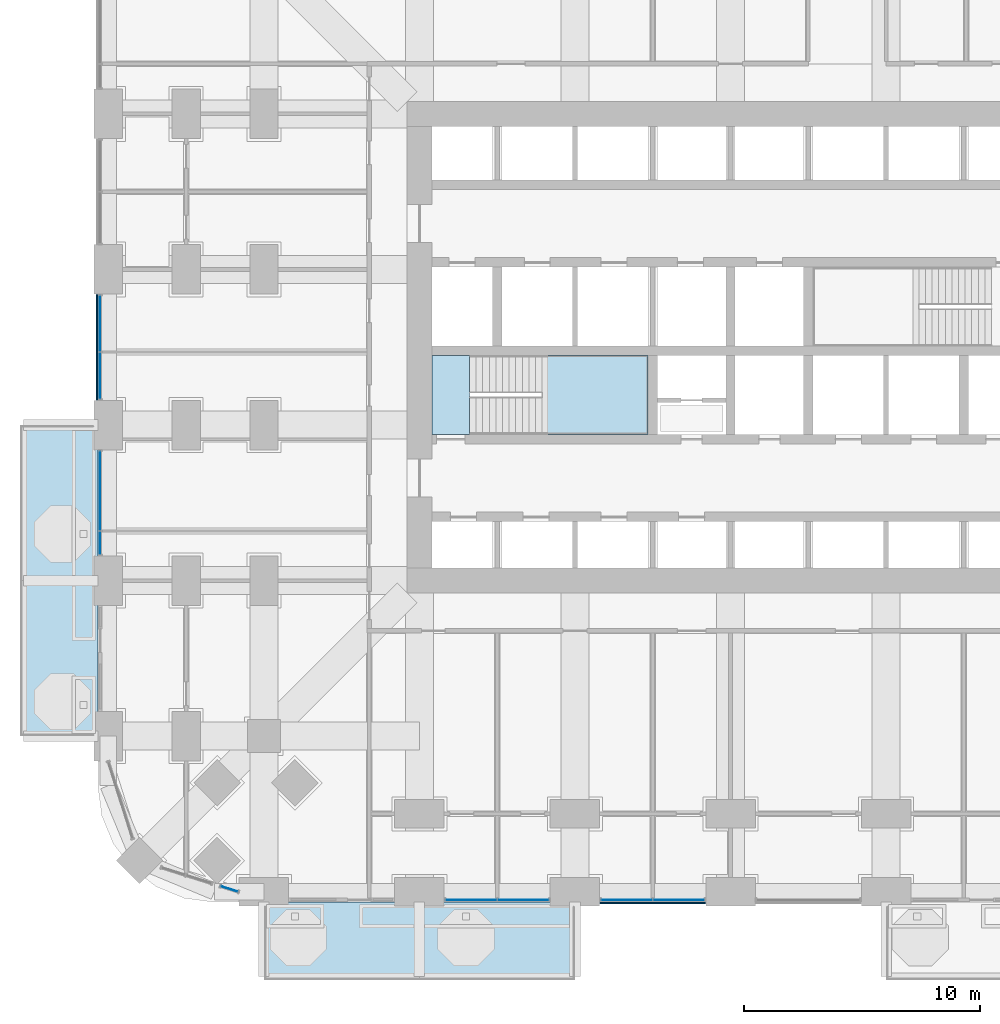
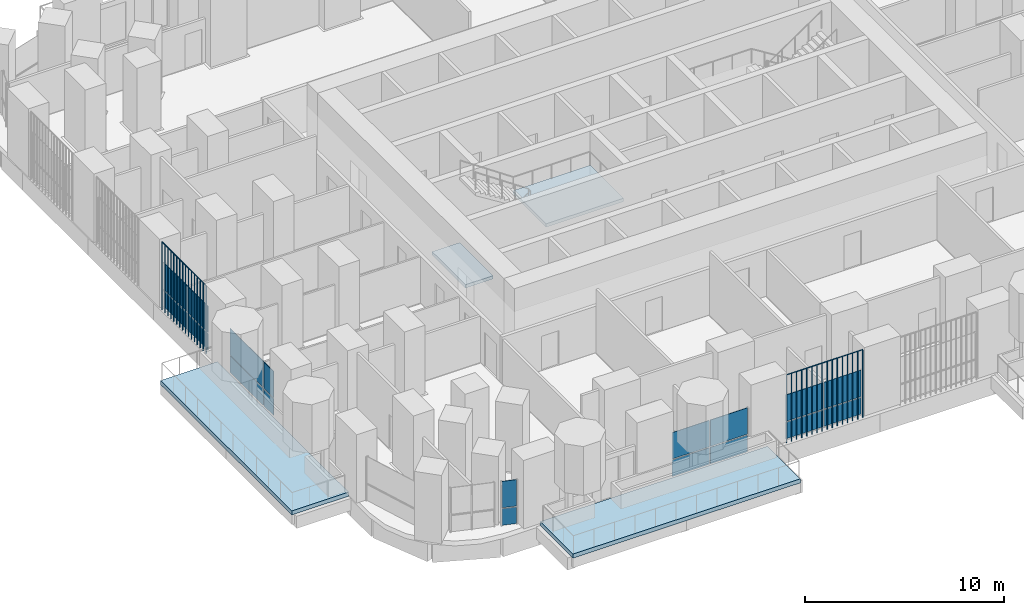
# One storey, part 12 of 27: 20 plates, 4 slabs, 6 elements without a shape of their own.
"""IFC4 building model written with IfcOpenShell, lengths in metres."""

import ifcopenshell
import ifcopenshell.guid

model = None  # the IFC model being written
_history = None  # IfcOwnerHistory: only IFC2X3 demands one
_inside = {}  # id of a spatial element -> (the spatial element, [elements in it])
_under = {}  # id of a project, library or spatial element -> (it, [spatial elements below it])
_declared = {}  # id of a project -> (the project, [libraries it declares])
_typed = {}  # id of a type object -> (the type object, [elements of that type])
_made_of = {}  # id of a material, layer set ... -> (it, [elements and type objects made of it])


def new_model(schema):
    """Start an empty IFC model of exactly this schema.

    Asked for "IFC4X3", IfcOpenShell would pick the latest addendum, in which some entities
    have other attributes; the version numbers below select the first issue.
    IFC2X3 requires an IfcOwnerHistory on every rooted entity: one is made here for all.
    """
    global model, _history
    if schema == "IFC4X3":
        model = ifcopenshell.file(schema_version=(4, 3, 0, 0))
    else:
        model = ifcopenshell.file(schema=schema)
    _inside.clear()
    _under.clear()
    _declared.clear()
    _typed.clear()
    _made_of.clear()
    _history = None
    if model.schema == "IFC2X3":
        org = make("IfcOrganization", Name="unknown")
        user = make(
            "IfcPersonAndOrganization",
            ThePerson=make("IfcPerson", FamilyName="unknown"),
            TheOrganization=org,
        )
        app = make(
            "IfcApplication",
            ApplicationDeveloper=org,
            Version="unknown",
            ApplicationFullName="unknown",
            ApplicationIdentifier="unknown",
        )
        _history = make(
            "IfcOwnerHistory",
            OwningUser=user,
            OwningApplication=app,
            ChangeAction="ADDED",
            CreationDate=0,
        )
    return model


def make(cls, **values):
    """One entity of the class cls with the attributes given. An attribute that is None is left unset."""
    return model.create_entity(
        cls, **{name: value for name, value in values.items() if value is not None}
    )


def rooted(cls, **values):
    """An entity with a GlobalId (a new one), such as an element, a storey or a relation."""
    return make(cls, GlobalId=ifcopenshell.guid.new(), OwnerHistory=_history, **values)


def si_unit(unit_type, name, prefix=None):
    """IfcSIUnit, for example si_unit("LENGTHUNIT", "METRE", prefix="MILLI")."""
    return make("IfcSIUnit", UnitType=unit_type, Prefix=prefix, Name=name)


def assignment(units):
    """IfcUnitAssignment: the units of a project."""
    return None if units is None else make("IfcUnitAssignment", Units=units)


def point(xyz):
    """IfcCartesianPoint."""
    return None if xyz is None else make("IfcCartesianPoint", Coordinates=xyz)


def direction(xyz):
    """IfcDirection."""
    return None if xyz is None else make("IfcDirection", DirectionRatios=xyz)


def frame(location, z_axis=None, x_axis=None):
    """IfcAxis2Placement3D, a coordinate frame: its origin and axes. An axis left out is left unset."""
    return make(
        "IfcAxis2Placement3D",
        Location=point(location),
        Axis=direction(z_axis),
        RefDirection=direction(x_axis),
    )


def frame_2d(location, x_axis=None):
    """IfcAxis2Placement2D, a coordinate frame in the plane: its origin and x axis."""
    return make(
        "IfcAxis2Placement2D", Location=point(location), RefDirection=direction(x_axis)
    )


def origin():
    """The frame at (0, 0, 0) with its axes left unset."""
    return frame((0.0, 0.0, 0.0))


def origin_2d():
    """The frame at (0, 0) in the plane with its x axis left unset."""
    return frame_2d((0.0, 0.0))


def place(relative_to, where):
    """IfcLocalPlacement: puts the frame where relative to a parent placement (None: the world)."""
    return make(
        "IfcLocalPlacement", PlacementRelTo=relative_to, RelativePlacement=where
    )


def context(
    kind, dimensions, precision=None, world=None, true_north=None, identifier=None
):
    """IfcGeometricRepresentationContext, for example the 3D "Model" context."""
    return make(
        "IfcGeometricRepresentationContext",
        ContextIdentifier=identifier,
        ContextType=kind,
        CoordinateSpaceDimension=dimensions,
        Precision=precision,
        WorldCoordinateSystem=world,
        TrueNorth=true_north,
    )


def subcontext(parent, identifier, kind, view, scale=None):
    """IfcGeometricRepresentationSubContext, for example "Body" below "Model"."""
    return make(
        "IfcGeometricRepresentationSubContext",
        ContextIdentifier=identifier,
        ContextType=kind,
        ParentContext=parent,
        TargetScale=scale,
        TargetView=view,
    )


def project(units=None, contexts=None):
    """IfcProject with its units and contexts."""
    return rooted(
        "IfcProject",
        Name="project",
        RepresentationContexts=contexts,
        UnitsInContext=assignment(units),
    )


def spatial(cls, under=None, at=None, **own):
    """A site, building, storey or space (cls), placed at a placement, below another one or the project."""
    s = rooted(cls, ObjectPlacement=at, **own)
    if under is not None:
        _under.setdefault(under.id(), (under, []))[1].append(s)
    return s


def polyline(points):
    """IfcPolyline through the points."""
    return make("IfcPolyline", Points=[point(p) for p in points])


def profile(cls, at=None, kind="AREA", **sizes):
    """A parametric profile (cls). Its sizes go by their IFC names, for example OverallWidth=200.0."""
    return make(cls, ProfileType=kind, Position=at, **sizes)


def rectangle(**sizes):
    """IfcRectangleProfileDef."""
    return profile("IfcRectangleProfileDef", **sizes)


def outline(outer, holes=None, kind="AREA"):
    """IfcArbitraryClosedProfileDef: a profile drawn as a closed curve; with holes, ...WithVoids."""
    if holes is None:
        return make("IfcArbitraryClosedProfileDef", ProfileType=kind, OuterCurve=outer)
    return make(
        "IfcArbitraryProfileDefWithVoids",
        ProfileType=kind,
        OuterCurve=outer,
        InnerCurves=holes,
    )


def extrude(swept, where, along, depth):
    """IfcExtrudedAreaSolid: the profile swept, set in the frame where, extruded along a direction by depth."""
    return make(
        "IfcExtrudedAreaSolid",
        SweptArea=swept,
        Position=where,
        ExtrudedDirection=direction(along),
        Depth=depth,
    )


def shape(context_of_items, identifier, shape_type, items):
    """IfcShapeRepresentation: the items that make up one representation, for example the "Body"."""
    return make(
        "IfcShapeRepresentation",
        ContextOfItems=context_of_items,
        RepresentationIdentifier=identifier,
        RepresentationType=shape_type,
        Items=items,
    )


def material(Name=None, Category=None):
    """IfcMaterial."""
    return make("IfcMaterial", Name=Name, Category=Category)


def layer(
    of_material, thickness, ventilated=None, Name=None, Category=None, Priority=None
):
    """IfcMaterialLayer: one layer of a wall or slab, of a material (None: an air gap)."""
    return make(
        "IfcMaterialLayer",
        Material=of_material,
        LayerThickness=thickness,
        IsVentilated=ventilated,
        Name=Name,
        Category=Category,
        Priority=Priority,
    )


def layer_set(layers, Name=None):
    """IfcMaterialLayerSet."""
    return make("IfcMaterialLayerSet", MaterialLayers=layers, LayerSetName=Name)


def made_of(thing, what):
    """Note that an element or type object is made of a material, layer set ...; save() writes the relation."""
    if what is not None:
        _made_of.setdefault(what.id(), (what, []))[1].append(thing)
    return thing


def type_object(cls, material=None, **own):
    """A type object (cls), such as IfcWallType, which elements share."""
    return made_of(rooted(cls, **own), material)


def element(
    cls,
    number,
    at=None,
    inside=None,
    cuts=None,
    type_object=None,
    material=None,
    context=None,
    identifier="Body",
    shape_type=None,
    held_by="IfcProductDefinitionShape",
    body=None,
    shapes=None,
    **own,
):
    """One element of the class cls, such as IfcWall. Its Tag is "e" and its number.

    at: its placement. inside: the storey or other place that contains it. cuts: it is an
    opening in that element (IfcRelVoidsElement). A single representation is given by context,
    identifier, shape_type and body (its items); several are given by shapes. held_by: the class
    of the entity that holds the representations. save() writes the other relations.
    """
    e = rooted(cls, Tag="e%d" % number, ObjectPlacement=at, **own)
    if body is not None:
        shapes = [shape(context, identifier, shape_type, body)]
    if shapes is not None:
        e.Representation = make(held_by, Representations=shapes)
    if inside is not None:
        _inside.setdefault(inside.id(), (inside, []))[1].append(e)
    if cuts is not None:
        rooted(
            "IfcRelVoidsElement", RelatingBuildingElement=cuts, RelatedOpeningElement=e
        )
    if type_object is not None:
        _typed.setdefault(type_object.id(), (type_object, []))[1].append(e)
    return made_of(e, material)


def aggregate(whole, parts):
    """IfcRelAggregates: a whole, such as a stair, and the parts it consists of."""
    return rooted("IfcRelAggregates", RelatingObject=whole, RelatedObjects=parts)


def save(model, path):
    """Write the relations noted so far, then the file.

    IfcRelAggregates (storeys below a building ...), IfcRelContainedInSpatialStructure (elements
    in a storey), IfcRelDefinesByType, IfcRelAssociatesMaterial and IfcRelDeclares: one each for
    every whole, place, type object, material and project.
    """
    for whole, parts in _under.values():
        aggregate(whole, parts)
    for where, things in _inside.values():
        rooted(
            "IfcRelContainedInSpatialStructure",
            RelatedElements=things,
            RelatingStructure=where,
        )
    for kind, things in _typed.values():
        rooted("IfcRelDefinesByType", RelatedObjects=things, RelatingType=kind)
    for what, things in _made_of.values():
        rooted("IfcRelAssociatesMaterial", RelatedObjects=things, RelatingMaterial=what)
    for by, libraries in _declared.values():
        rooted("IfcRelDeclares", RelatingContext=by, RelatedDefinitions=libraries)
    model.write(path)


model = new_model("IFC4")

# Units and contexts
model_context = context("Model", 3, precision=1e-05, world=origin(), true_north=direction((0.0, 1.0)))
body_context = subcontext(model_context, "Body", "Model", "MODEL_VIEW")
ifc_project = project(units=[si_unit("LENGTHUNIT", "METRE"), si_unit("AREAUNIT", "SQUARE_METRE"), si_unit("VOLUMEUNIT", "CUBIC_METRE"), si_unit("PLANEANGLEUNIT", "RADIAN"), si_unit("MASSUNIT", "GRAM", prefix="KILO")], contexts=[model_context])

# Site, building, storey
site_placement = place(None, origin())
site = spatial("IfcSite", under=ifc_project, at=site_placement, CompositionType="ELEMENT")
building_placement = place(site_placement, origin())
building = spatial("IfcBuilding", under=site, at=building_placement, Name="Cobogo Forest Laboratory Tower", CompositionType="ELEMENT")
storey_placement = place(building_placement, frame((0.0, 0.0, 38.10009765625)))
storey = spatial("IfcBuildingStorey", under=building, at=storey_placement, Name="L08", CompositionType="ELEMENT", Elevation=38.10009765625)

# Slabs
ifc_material_1 = material(Name="Concrete HA-40 (C40/50)", Category="concrete")
ifc_layer_1 = layer(ifc_material_1, 0.25)
ifc_layer_set_1 = layer_set([ifc_layer_1], Name="Balcony slab 250")
slab_type_1 = type_object("IfcSlabType", Name="Balcony slab 250", PredefinedType="FLOOR", material=ifc_layer_set_1)
slab_1_placement = place(storey_placement, frame((0.0, 0.0, -0.25)))
element("IfcSlab", 1, at=slab_1_placement, inside=storey, type_object=slab_type_1, Name="Balcony BAL-S1 L08", PredefinedType="FLOOR", context=body_context, shape_type="SweptSolid", body=[
    extrude(outline(polyline([(6.60009765625, -3.75), (19.800048828125, -3.75), (19.800048828125, -0.449951171875), (6.60009765625, -0.449951171875), (6.60009765625, -3.75)])), origin(), (0.0, 0.0, 1.0), 0.25),
])
slab_2_placement = place(storey_placement, frame((0.0, 0.0, -0.25)))
element("IfcSlab", 2, at=slab_2_placement, inside=storey, type_object=slab_type_1, Name="Balcony BAL-W1 L08", PredefinedType="FLOOR", context=body_context, shape_type="SweptSolid", body=[
    extrude(outline(polyline([(-3.75, 6.60009765625), (-0.449951171875, 6.60009765625), (-0.449951171875, 19.800048828125), (-3.75, 19.800048828125), (-3.75, 6.60009765625)])), origin(), (0.0, 0.0, 1.0), 0.25),
])

# Curtain wall, plates
ifc_material_2 = material(Name="Aluminium curtain wall", Category="aluminium")
curtain_wall_type = type_object("IfcCurtainWallType", Name="CW-1 unitised curtain wall, clear glazing, laboratory floors zones A and B", PredefinedType="USERDEFINED", material=ifc_material_2)
curtain_wall_1_placement = place(storey_placement, origin())
curtain_wall_1 = element("IfcCurtainWall", 3, at=curtain_wall_1_placement, inside=storey, type_object=curtain_wall_type, Name="Curtain wall 02 L08", ObjectType="UNITISED CURTAIN WALL", PredefinedType="USERDEFINED")
ifc_material_3 = material(Name="Clear insulated glass", Category="glass")
ifc_layer_2 = layer(ifc_material_3, 0.028076171875)
ifc_layer_set_2 = layer_set([ifc_layer_2], Name="GP-1 clear insulated glass unit 28")
plate_type_1 = type_object("IfcPlateType", Name="GP-1 clear insulated glass unit 28", PredefinedType="CURTAIN_PANEL", material=ifc_layer_set_2)
plate_1_placement = place(storey_placement, frame((15.389892578125, -0.35009765625, 0.0), z_axis=(0.0, 0.0, 1.0), x_axis=(1.0, 0.0, 0.0)))
plate_1 = element("IfcPlate", 4, at=plate_1_placement, type_object=plate_type_1, Name="CW-1 panel 1.1", PredefinedType="CURTAIN_PANEL", context=body_context, shape_type="SweptSolid", body=[
    extrude(rectangle(XDim=2.159912109375, YDim=0.028076171875, at=origin_2d()), origin(), (0.0, 0.0, 1.0), 1.02001953125),
])
plate_2_placement = place(storey_placement, frame((15.389892578125, -0.35009765625, 1.079833984375), z_axis=(0.0, 0.0, 1.0), x_axis=(1.0, 0.0, 0.0)))
plate_2 = element("IfcPlate", 5, at=plate_2_placement, type_object=plate_type_1, Name="CW-1 panel 1.2", PredefinedType="CURTAIN_PANEL", context=body_context, shape_type="SweptSolid", body=[
    extrude(rectangle(XDim=2.159912109375, YDim=0.028076171875, at=origin_2d()), origin(), (0.0, 0.0, 1.0), 1.6201171875),
])
plate_3_placement = place(storey_placement, frame((17.610107421875, -0.35009765625, 0.0), z_axis=(0.0, 0.0, 1.0), x_axis=(1.0, 0.0, 0.0)))
plate_3 = element("IfcPlate", 6, at=plate_3_placement, type_object=plate_type_1, Name="CW-1 panel 2.1", PredefinedType="CURTAIN_PANEL", context=body_context, shape_type="SweptSolid", body=[
    extrude(rectangle(XDim=2.159912109375, YDim=0.028076171875, at=origin_2d()), origin(), (0.0, 0.0, 1.0), 1.02001953125),
])
plate_4_placement = place(storey_placement, frame((17.610107421875, -0.35009765625, 1.079833984375), z_axis=(0.0, 0.0, 1.0), x_axis=(1.0, 0.0, 0.0)))
plate_4 = element("IfcPlate", 7, at=plate_4_placement, type_object=plate_type_1, Name="CW-1 panel 2.2", PredefinedType="CURTAIN_PANEL", context=body_context, shape_type="SweptSolid", body=[
    extrude(rectangle(XDim=2.159912109375, YDim=0.028076171875, at=origin_2d()), origin(), (0.0, 0.0, 1.0), 1.6201171875),
])
aggregate(curtain_wall_1, [plate_1, plate_2, plate_3, plate_4])

curtain_wall_2_placement = place(storey_placement, origin())
curtain_wall_2 = element("IfcCurtainWall", 8, at=curtain_wall_2_placement, inside=storey, type_object=curtain_wall_type, Name="Curtain wall 03 L08", ObjectType="UNITISED CURTAIN WALL", PredefinedType="USERDEFINED")
plate_5_placement = place(storey_placement, frame((21.989990234375, -0.35009765625, 0.0), z_axis=(0.0, 0.0, 1.0), x_axis=(1.0, 0.0, 0.0)))
plate_5 = element("IfcPlate", 9, at=plate_5_placement, type_object=plate_type_1, Name="CW-1 panel 1.1", PredefinedType="CURTAIN_PANEL", context=body_context, shape_type="SweptSolid", body=[
    extrude(rectangle(XDim=2.159912109375, YDim=0.028076171875, at=origin_2d()), origin(), (0.0, 0.0, 1.0), 1.02001953125),
])
plate_6_placement = place(storey_placement, frame((21.989990234375, -0.35009765625, 1.079833984375), z_axis=(0.0, 0.0, 1.0), x_axis=(1.0, 0.0, 0.0)))
plate_6 = element("IfcPlate", 10, at=plate_6_placement, type_object=plate_type_1, Name="CW-1 panel 1.2", PredefinedType="CURTAIN_PANEL", context=body_context, shape_type="SweptSolid", body=[
    extrude(rectangle(XDim=2.159912109375, YDim=0.028076171875, at=origin_2d()), origin(), (0.0, 0.0, 1.0), 1.6201171875),
])
plate_7_placement = place(storey_placement, frame((24.2099609375, -0.35009765625, 0.0), z_axis=(0.0, 0.0, 1.0), x_axis=(1.0, 0.0, 0.0)))
plate_7 = element("IfcPlate", 11, at=plate_7_placement, type_object=plate_type_1, Name="CW-1 panel 2.1", PredefinedType="CURTAIN_PANEL", context=body_context, shape_type="SweptSolid", body=[
    extrude(rectangle(XDim=2.159912109375, YDim=0.028076171875, at=origin_2d()), origin(), (0.0, 0.0, 1.0), 1.02001953125),
])
plate_8_placement = place(storey_placement, frame((24.2099609375, -0.35009765625, 1.079833984375), z_axis=(0.0, 0.0, 1.0), x_axis=(1.0, 0.0, 0.0)))
plate_8 = element("IfcPlate", 12, at=plate_8_placement, type_object=plate_type_1, Name="CW-1 panel 2.2", PredefinedType="CURTAIN_PANEL", context=body_context, shape_type="SweptSolid", body=[
    extrude(rectangle(XDim=2.159912109375, YDim=0.028076171875, at=origin_2d()), origin(), (0.0, 0.0, 1.0), 1.6201171875),
])
aggregate(curtain_wall_2, [plate_5, plate_6, plate_7, plate_8])

curtain_wall_3_placement = place(storey_placement, origin())
curtain_wall_3 = element("IfcCurtainWall", 13, at=curtain_wall_3_placement, inside=storey, type_object=curtain_wall_type, Name="Curtain wall 29 L08", ObjectType="UNITISED CURTAIN WALL", PredefinedType="USERDEFINED")
plate_9_placement = place(storey_placement, frame((-0.35009765625, 24.110107421875, 0.0), z_axis=(0.0, 0.0, 1.0), x_axis=(0.0, -1.0, 0.0)))
plate_9 = element("IfcPlate", 14, at=plate_9_placement, type_object=plate_type_1, Name="CW-1 panel 1.1", PredefinedType="CURTAIN_PANEL", context=body_context, shape_type="SweptSolid", body=[
    extrude(rectangle(XDim=2.360107421875, YDim=0.028076171875, at=origin_2d()), origin(), (0.0, 0.0, 1.0), 1.02001953125),
])
plate_10_placement = place(storey_placement, frame((-0.35009765625, 24.110107421875, 1.079833984375), z_axis=(0.0, 0.0, 1.0), x_axis=(0.0, -1.0, 0.0)))
plate_10 = element("IfcPlate", 15, at=plate_10_placement, type_object=plate_type_1, Name="CW-1 panel 1.2", PredefinedType="CURTAIN_PANEL", context=body_context, shape_type="SweptSolid", body=[
    extrude(rectangle(XDim=2.360107421875, YDim=0.028076171875, at=origin_2d()), origin(), (0.0, 0.0, 1.0), 1.6201171875),
])
plate_11_placement = place(storey_placement, frame((-0.35009765625, 21.889892578125, 0.0), z_axis=(0.0, 0.0, 1.0), x_axis=(0.0, -1.0, 0.0)))
plate_11 = element("IfcPlate", 16, at=plate_11_placement, type_object=plate_type_1, Name="CW-1 panel 2.1", PredefinedType="CURTAIN_PANEL", context=body_context, shape_type="SweptSolid", body=[
    extrude(rectangle(XDim=1.9599609375, YDim=0.028076171875, at=origin_2d()), origin(), (0.0, 0.0, 1.0), 1.02001953125),
])
plate_12_placement = place(storey_placement, frame((-0.35009765625, 21.889892578125, 1.079833984375), z_axis=(0.0, 0.0, 1.0), x_axis=(0.0, -1.0, 0.0)))
plate_12 = element("IfcPlate", 17, at=plate_12_placement, type_object=plate_type_1, Name="CW-1 panel 2.2", PredefinedType="CURTAIN_PANEL", context=body_context, shape_type="SweptSolid", body=[
    extrude(rectangle(XDim=1.9599609375, YDim=0.028076171875, at=origin_2d()), origin(), (0.0, 0.0, 1.0), 1.6201171875),
])
aggregate(curtain_wall_3, [plate_9, plate_10, plate_11, plate_12])

curtain_wall_4_placement = place(storey_placement, origin())
curtain_wall_4 = element("IfcCurtainWall", 18, at=curtain_wall_4_placement, inside=storey, type_object=curtain_wall_type, Name="Curtain wall 30 L08", ObjectType="UNITISED CURTAIN WALL", PredefinedType="USERDEFINED")
plate_13_placement = place(storey_placement, frame((-0.35009765625, 17.010009765625, 0.0), z_axis=(0.0, 0.0, 1.0), x_axis=(0.0, -1.0, 0.0)))
plate_13 = element("IfcPlate", 19, at=plate_13_placement, type_object=plate_type_1, Name="CW-1 panel 1.1", PredefinedType="CURTAIN_PANEL", context=body_context, shape_type="SweptSolid", body=[
    extrude(rectangle(XDim=3.360107421875, YDim=0.028076171875, at=origin_2d()), origin(), (0.0, 0.0, 1.0), 1.02001953125),
])
plate_14_placement = place(storey_placement, frame((-0.35009765625, 17.010009765625, 1.079833984375), z_axis=(0.0, 0.0, 1.0), x_axis=(0.0, -1.0, 0.0)))
plate_14 = element("IfcPlate", 20, at=plate_14_placement, type_object=plate_type_1, Name="CW-1 panel 1.2", PredefinedType="CURTAIN_PANEL", context=body_context, shape_type="SweptSolid", body=[
    extrude(rectangle(XDim=3.360107421875, YDim=0.028076171875, at=origin_2d()), origin(), (0.0, 0.0, 1.0), 1.6201171875),
])
plate_15_placement = place(storey_placement, frame((-0.35009765625, 14.7900390625, 0.0), z_axis=(0.0, 0.0, 1.0), x_axis=(0.0, -1.0, 0.0)))
plate_15 = element("IfcPlate", 21, at=plate_15_placement, type_object=plate_type_1, Name="CW-1 panel 2.1", PredefinedType="CURTAIN_PANEL", context=body_context, shape_type="SweptSolid", body=[
    extrude(rectangle(XDim=0.9599609375, YDim=0.028076171875, at=origin_2d()), origin(), (0.0, 0.0, 1.0), 1.02001953125),
])
plate_16_placement = place(storey_placement, frame((-0.35009765625, 14.7900390625, 1.079833984375), z_axis=(0.0, 0.0, 1.0), x_axis=(0.0, -1.0, 0.0)))
plate_16 = element("IfcPlate", 22, at=plate_16_placement, type_object=plate_type_1, Name="CW-1 panel 2.2", PredefinedType="CURTAIN_PANEL", context=body_context, shape_type="SweptSolid", body=[
    extrude(rectangle(XDim=0.9599609375, YDim=0.028076171875, at=origin_2d()), origin(), (0.0, 0.0, 1.0), 1.6201171875),
])
aggregate(curtain_wall_4, [plate_13, plate_14, plate_15, plate_16])

curtain_wall_5_placement = place(storey_placement, origin())
curtain_wall_5 = element("IfcCurtainWall", 23, at=curtain_wall_5_placement, inside=storey, type_object=curtain_wall_type, Name="Curtain wall 34 L08", ObjectType="UNITISED CURTAIN WALL", PredefinedType="USERDEFINED")
plate_17_placement = place(storey_placement, frame((5.134033203125, 0.113037109375, 0.0), z_axis=(0.0, 0.0, 1.0), x_axis=(0.953581504428, -0.301135043481, 0.0)))
plate_17 = element("IfcPlate", 24, at=plate_17_placement, type_object=plate_type_1, Name="CW-1 panel 1.1", PredefinedType="CURTAIN_PANEL", context=body_context, shape_type="SweptSolid", body=[
    extrude(rectangle(XDim=0.75244140625, YDim=0.028076171875, at=origin_2d()), origin(), (0.0, 0.0, 1.0), 1.02001953125),
])
plate_18_placement = place(storey_placement, frame((5.134033203125, 0.113037109375, 1.079833984375), z_axis=(0.0, 0.0, 1.0), x_axis=(0.953581504428, -0.301135043481, 0.0)))
plate_18 = element("IfcPlate", 25, at=plate_18_placement, type_object=plate_type_1, Name="CW-1 panel 1.2", PredefinedType="CURTAIN_PANEL", context=body_context, shape_type="SweptSolid", body=[
    extrude(rectangle(XDim=0.75244140625, YDim=0.028076171875, at=origin_2d()), origin(), (0.0, 0.0, 1.0), 1.6201171875),
])
aggregate(curtain_wall_5, [plate_17, plate_18])

# Stair, slabs
ifc_material_4 = material(Name="Precast concrete HA-40 (C40/50)", Category="concrete")
stair_type = type_object("IfcStairType", Name="ST24 exit stair 24 risers", PredefinedType="HALF_TURN_STAIR", material=ifc_material_4)
stair_placement = place(storey_placement, origin())
stair = element("IfcStair", 26, at=stair_placement, inside=storey, type_object=stair_type, Name="Stair 1 L08 to L09", PredefinedType="HALF_TURN_STAIR")
ifc_layer_3 = layer(ifc_material_1, 0.199951171875)
ifc_layer_set_3 = layer_set([ifc_layer_3], Name="SL stair landing 200")
slab_type_2 = type_object("IfcSlabType", Name="SL stair landing 200", PredefinedType="LANDING", material=ifc_layer_set_3)
slab_3_placement = place(storey_placement, frame((0.0, 0.0, -0.2001953125)))
slab_3 = element("IfcSlab", 27, at=slab_3_placement, type_object=slab_type_2, Name="ST1 landing 1", PredefinedType="LANDING", context=body_context, shape_type="SweptSolid", body=[
    extrude(outline(polyline([(13.72509765625, 19.39990234375), (15.326904296875, 19.39990234375), (15.326904296875, 22.75), (13.72509765625, 22.75), (13.72509765625, 19.39990234375)])), origin(), (0.0, 0.0, 1.0), 0.2001953125),
])
slab_4_placement = place(storey_placement, frame((0.0, 0.0, 1.89990234375)))
slab_4 = element("IfcSlab", 28, at=slab_4_placement, type_object=slab_type_2, Name="ST1 landing 2", PredefinedType="LANDING", context=body_context, shape_type="SweptSolid", body=[
    extrude(outline(polyline([(18.403076171875, 19.39990234375), (22.89990234375, 19.39990234375), (22.89990234375, 22.75), (18.403076171875, 22.75), (18.403076171875, 19.39990234375)])), origin(), (0.0, 0.0, 1.0), 0.199951171875),
])
aggregate(stair, [slab_3, slab_4])

# Plates
ifc_material_5 = material(Name="Terracotta", Category="masonry")
plate_type_2 = type_object("IfcPlateType", Name="TB1 terracotta baguette screen", PredefinedType="USERDEFINED", material=ifc_material_5)
plate_19_placement = place(storey_placement, frame((20.88134765625, -0.477783203125, -0.150146484375)))
element("IfcPlate", 29, at=plate_19_placement, inside=storey, type_object=plate_type_2, Name="Baguette screen S3 L08", ObjectType="BAGUETTE SCREEN", PredefinedType="USERDEFINED", context=body_context, shape_type="SweptSolid", body=[
    extrude(outline(polyline([(0.02880859375, 0.011962890625), (0.011962890625, 0.02880859375), (-0.011962890625, 0.02880859375), (-0.02880859375, 0.011962890625), (-0.02880859375, -0.011962890625), (-0.011962890625, -0.02880859375), (0.011962890625, -0.02880859375), (0.02880859375, -0.011962890625), (0.02880859375, 0.011962890625)])), frame((0.0, 0.0, 4.168701171875), z_axis=(1.0, 0.0, 0.0), x_axis=(0.0, 1.0, 0.0)), (0.0, 0.0, 1.0), 4.4375),
    extrude(outline(polyline([(0.02880859375, 0.011962890625), (0.011962890625, 0.02880859375), (-0.011962890625, 0.02880859375), (-0.02880859375, 0.011962890625), (-0.02880859375, -0.011962890625), (-0.011962890625, -0.02880859375), (0.011962890625, -0.02880859375), (0.02880859375, -0.011962890625), (0.02880859375, 0.011962890625)])), origin(), (0.0, 0.0, 1.0), 4.137451171875),
    extrude(outline(polyline([(0.02880859375, 0.011962890625), (0.011962890625, 0.02880859375), (-0.011962890625, 0.02880859375), (-0.02880859375, 0.011962890625), (-0.02880859375, -0.011962890625), (-0.011962890625, -0.02880859375), (0.011962890625, -0.02880859375), (0.02880859375, -0.011962890625), (0.02880859375, 0.011962890625)])), frame((0.2958984375, 0.0, 0.0)), (0.0, 0.0, 1.0), 4.137451171875),
    extrude(outline(polyline([(0.02880859375, 0.011962890625), (0.011962890625, 0.02880859375), (-0.011962890625, 0.02880859375), (-0.02880859375, 0.011962890625), (-0.02880859375, -0.011962890625), (-0.011962890625, -0.02880859375), (0.011962890625, -0.02880859375), (0.02880859375, -0.011962890625), (0.02880859375, 0.011962890625)])), frame((0.591552734375, 0.0, 0.0)), (0.0, 0.0, 1.0), 4.137451171875),
    extrude(outline(polyline([(0.02880859375, 0.011962890625), (0.011962890625, 0.02880859375), (-0.011962890625, 0.02880859375), (-0.02880859375, 0.011962890625), (-0.02880859375, -0.011962890625), (-0.011962890625, -0.02880859375), (0.011962890625, -0.02880859375), (0.02880859375, -0.011962890625), (0.02880859375, 0.011962890625)])), frame((0.887451171875, 0.0, 0.0)), (0.0, 0.0, 1.0), 4.137451171875),
    extrude(outline(polyline([(0.02880859375, 0.011962890625), (0.011962890625, 0.02880859375), (-0.011962890625, 0.02880859375), (-0.02880859375, 0.011962890625), (-0.02880859375, -0.011962890625), (-0.011962890625, -0.02880859375), (0.011962890625, -0.02880859375), (0.02880859375, -0.011962890625), (0.02880859375, 0.011962890625)])), frame((1.183349609375, 0.0, 0.0)), (0.0, 0.0, 1.0), 4.137451171875),
    extrude(outline(polyline([(0.02880859375, 0.011962890625), (0.011962890625, 0.02880859375), (-0.011962890625, 0.02880859375), (-0.02880859375, 0.011962890625), (-0.02880859375, -0.011962890625), (-0.011962890625, -0.02880859375), (0.011962890625, -0.02880859375), (0.02880859375, -0.011962890625), (0.02880859375, 0.011962890625)])), frame((1.479248046875, 0.0, 0.0)), (0.0, 0.0, 1.0), 4.137451171875),
    extrude(outline(polyline([(0.02880859375, 0.011962890625), (0.011962890625, 0.02880859375), (-0.011962890625, 0.02880859375), (-0.02880859375, 0.011962890625), (-0.02880859375, -0.011962890625), (-0.011962890625, -0.02880859375), (0.011962890625, -0.02880859375), (0.02880859375, -0.011962890625), (0.02880859375, 0.011962890625)])), frame((1.77490234375, 0.0, 0.0)), (0.0, 0.0, 1.0), 4.137451171875),
    extrude(outline(polyline([(0.02880859375, 0.011962890625), (0.011962890625, 0.02880859375), (-0.011962890625, 0.02880859375), (-0.02880859375, 0.011962890625), (-0.02880859375, -0.011962890625), (-0.011962890625, -0.02880859375), (0.011962890625, -0.02880859375), (0.02880859375, -0.011962890625), (0.02880859375, 0.011962890625)])), frame((2.07080078125, 0.0, 0.0)), (0.0, 0.0, 1.0), 4.137451171875),
    extrude(outline(polyline([(0.02880859375, 0.011962890625), (0.011962890625, 0.02880859375), (-0.011962890625, 0.02880859375), (-0.02880859375, 0.011962890625), (-0.02880859375, -0.011962890625), (-0.011962890625, -0.02880859375), (0.011962890625, -0.02880859375), (0.02880859375, -0.011962890625), (0.02880859375, 0.011962890625)])), frame((2.36669921875, 0.0, 0.0)), (0.0, 0.0, 1.0), 4.137451171875),
    extrude(outline(polyline([(0.02880859375, 0.011962890625), (0.011962890625, 0.02880859375), (-0.011962890625, 0.02880859375), (-0.02880859375, 0.011962890625), (-0.02880859375, -0.011962890625), (-0.011962890625, -0.02880859375), (0.011962890625, -0.02880859375), (0.02880859375, -0.011962890625), (0.02880859375, 0.011962890625)])), frame((2.66259765625, 0.0, 0.0)), (0.0, 0.0, 1.0), 4.137451171875),
    extrude(outline(polyline([(0.02880859375, 0.011962890625), (0.011962890625, 0.02880859375), (-0.011962890625, 0.02880859375), (-0.02880859375, 0.011962890625), (-0.02880859375, -0.011962890625), (-0.011962890625, -0.02880859375), (0.011962890625, -0.02880859375), (0.02880859375, -0.011962890625), (0.02880859375, 0.011962890625)])), frame((2.958251953125, 0.0, 0.0)), (0.0, 0.0, 1.0), 4.137451171875),
    extrude(outline(polyline([(0.02880859375, 0.011962890625), (0.011962890625, 0.02880859375), (-0.011962890625, 0.02880859375), (-0.02880859375, 0.011962890625), (-0.02880859375, -0.011962890625), (-0.011962890625, -0.02880859375), (0.011962890625, -0.02880859375), (0.02880859375, -0.011962890625), (0.02880859375, 0.011962890625)])), frame((3.254150390625, 0.0, 0.0)), (0.0, 0.0, 1.0), 4.137451171875),
    extrude(outline(polyline([(0.02880859375, 0.011962890625), (0.011962890625, 0.02880859375), (-0.011962890625, 0.02880859375), (-0.02880859375, 0.011962890625), (-0.02880859375, -0.011962890625), (-0.011962890625, -0.02880859375), (0.011962890625, -0.02880859375), (0.02880859375, -0.011962890625), (0.02880859375, 0.011962890625)])), frame((3.550048828125, 0.0, 0.0)), (0.0, 0.0, 1.0), 4.137451171875),
    extrude(outline(polyline([(0.02880859375, 0.011962890625), (0.011962890625, 0.02880859375), (-0.011962890625, 0.02880859375), (-0.02880859375, 0.011962890625), (-0.02880859375, -0.011962890625), (-0.011962890625, -0.02880859375), (0.011962890625, -0.02880859375), (0.02880859375, -0.011962890625), (0.02880859375, 0.011962890625)])), frame((3.845947265625, 0.0, 0.0)), (0.0, 0.0, 1.0), 4.137451171875),
    extrude(outline(polyline([(0.02880859375, 0.011962890625), (0.011962890625, 0.02880859375), (-0.011962890625, 0.02880859375), (-0.02880859375, 0.011962890625), (-0.02880859375, -0.011962890625), (-0.011962890625, -0.02880859375), (0.011962890625, -0.02880859375), (0.02880859375, -0.011962890625), (0.02880859375, 0.011962890625)])), frame((4.1416015625, 0.0, 0.0)), (0.0, 0.0, 1.0), 4.137451171875),
    extrude(outline(polyline([(0.02880859375, 0.011962890625), (0.011962890625, 0.02880859375), (-0.011962890625, 0.02880859375), (-0.02880859375, 0.011962890625), (-0.02880859375, -0.011962890625), (-0.011962890625, -0.02880859375), (0.011962890625, -0.02880859375), (0.02880859375, -0.011962890625), (0.02880859375, 0.011962890625)])), frame((4.4375, 0.0, 0.0)), (0.0, 0.0, 1.0), 4.137451171875),
])
plate_20_placement = place(storey_placement, frame((-0.477783203125, 20.88134765625, -0.150146484375)))
element("IfcPlate", 30, at=plate_20_placement, inside=storey, type_object=plate_type_2, Name="Baguette screen W3 L08", ObjectType="BAGUETTE SCREEN", PredefinedType="USERDEFINED", context=body_context, shape_type="SweptSolid", body=[
    extrude(outline(polyline([(0.02880859375, 0.011962890625), (0.011962890625, 0.02880859375), (-0.011962890625, 0.02880859375), (-0.02880859375, 0.011962890625), (-0.02880859375, -0.011962890625), (-0.011962890625, -0.02880859375), (0.011962890625, -0.02880859375), (0.02880859375, -0.011962890625), (0.02880859375, 0.011962890625)])), frame((0.0, 0.0, 4.168701171875), z_axis=(0.0, 1.0, 0.0), x_axis=(-1.0, 0.0, 0.0)), (0.0, 0.0, 1.0), 4.4375),
    extrude(outline(polyline([(0.02880859375, 0.011962890625), (0.011962890625, 0.02880859375), (-0.011962890625, 0.02880859375), (-0.02880859375, 0.011962890625), (-0.02880859375, -0.011962890625), (-0.011962890625, -0.02880859375), (0.011962890625, -0.02880859375), (0.02880859375, -0.011962890625), (0.02880859375, 0.011962890625)])), origin(), (0.0, 0.0, 1.0), 4.137451171875),
    extrude(outline(polyline([(0.02880859375, 0.011962890625), (0.011962890625, 0.02880859375), (-0.011962890625, 0.02880859375), (-0.02880859375, 0.011962890625), (-0.02880859375, -0.011962890625), (-0.011962890625, -0.02880859375), (0.011962890625, -0.02880859375), (0.02880859375, -0.011962890625), (0.02880859375, 0.011962890625)])), frame((0.0, 0.2958984375, 0.0)), (0.0, 0.0, 1.0), 4.137451171875),
    extrude(outline(polyline([(0.02880859375, 0.011962890625), (0.011962890625, 0.02880859375), (-0.011962890625, 0.02880859375), (-0.02880859375, 0.011962890625), (-0.02880859375, -0.011962890625), (-0.011962890625, -0.02880859375), (0.011962890625, -0.02880859375), (0.02880859375, -0.011962890625), (0.02880859375, 0.011962890625)])), frame((0.0, 0.591552734375, 0.0)), (0.0, 0.0, 1.0), 4.137451171875),
    extrude(outline(polyline([(0.02880859375, 0.011962890625), (0.011962890625, 0.02880859375), (-0.011962890625, 0.02880859375), (-0.02880859375, 0.011962890625), (-0.02880859375, -0.011962890625), (-0.011962890625, -0.02880859375), (0.011962890625, -0.02880859375), (0.02880859375, -0.011962890625), (0.02880859375, 0.011962890625)])), frame((0.0, 0.887451171875, 0.0)), (0.0, 0.0, 1.0), 4.137451171875),
    extrude(outline(polyline([(0.02880859375, 0.011962890625), (0.011962890625, 0.02880859375), (-0.011962890625, 0.02880859375), (-0.02880859375, 0.011962890625), (-0.02880859375, -0.011962890625), (-0.011962890625, -0.02880859375), (0.011962890625, -0.02880859375), (0.02880859375, -0.011962890625), (0.02880859375, 0.011962890625)])), frame((0.0, 1.183349609375, 0.0)), (0.0, 0.0, 1.0), 4.137451171875),
    extrude(outline(polyline([(0.02880859375, 0.011962890625), (0.011962890625, 0.02880859375), (-0.011962890625, 0.02880859375), (-0.02880859375, 0.011962890625), (-0.02880859375, -0.011962890625), (-0.011962890625, -0.02880859375), (0.011962890625, -0.02880859375), (0.02880859375, -0.011962890625), (0.02880859375, 0.011962890625)])), frame((0.0, 1.479248046875, 0.0)), (0.0, 0.0, 1.0), 4.137451171875),
    extrude(outline(polyline([(0.02880859375, 0.011962890625), (0.011962890625, 0.02880859375), (-0.011962890625, 0.02880859375), (-0.02880859375, 0.011962890625), (-0.02880859375, -0.011962890625), (-0.011962890625, -0.02880859375), (0.011962890625, -0.02880859375), (0.02880859375, -0.011962890625), (0.02880859375, 0.011962890625)])), frame((0.0, 1.77490234375, 0.0)), (0.0, 0.0, 1.0), 4.137451171875),
    extrude(outline(polyline([(0.02880859375, 0.011962890625), (0.011962890625, 0.02880859375), (-0.011962890625, 0.02880859375), (-0.02880859375, 0.011962890625), (-0.02880859375, -0.011962890625), (-0.011962890625, -0.02880859375), (0.011962890625, -0.02880859375), (0.02880859375, -0.011962890625), (0.02880859375, 0.011962890625)])), frame((0.0, 2.07080078125, 0.0)), (0.0, 0.0, 1.0), 4.137451171875),
    extrude(outline(polyline([(0.02880859375, 0.011962890625), (0.011962890625, 0.02880859375), (-0.011962890625, 0.02880859375), (-0.02880859375, 0.011962890625), (-0.02880859375, -0.011962890625), (-0.011962890625, -0.02880859375), (0.011962890625, -0.02880859375), (0.02880859375, -0.011962890625), (0.02880859375, 0.011962890625)])), frame((0.0, 2.36669921875, 0.0)), (0.0, 0.0, 1.0), 4.137451171875),
    extrude(outline(polyline([(0.02880859375, 0.011962890625), (0.011962890625, 0.02880859375), (-0.011962890625, 0.02880859375), (-0.02880859375, 0.011962890625), (-0.02880859375, -0.011962890625), (-0.011962890625, -0.02880859375), (0.011962890625, -0.02880859375), (0.02880859375, -0.011962890625), (0.02880859375, 0.011962890625)])), frame((0.0, 2.66259765625, 0.0)), (0.0, 0.0, 1.0), 4.137451171875),
    extrude(outline(polyline([(0.02880859375, 0.011962890625), (0.011962890625, 0.02880859375), (-0.011962890625, 0.02880859375), (-0.02880859375, 0.011962890625), (-0.02880859375, -0.011962890625), (-0.011962890625, -0.02880859375), (0.011962890625, -0.02880859375), (0.02880859375, -0.011962890625), (0.02880859375, 0.011962890625)])), frame((0.0, 2.958251953125, 0.0)), (0.0, 0.0, 1.0), 4.137451171875),
    extrude(outline(polyline([(0.02880859375, 0.011962890625), (0.011962890625, 0.02880859375), (-0.011962890625, 0.02880859375), (-0.02880859375, 0.011962890625), (-0.02880859375, -0.011962890625), (-0.011962890625, -0.02880859375), (0.011962890625, -0.02880859375), (0.02880859375, -0.011962890625), (0.02880859375, 0.011962890625)])), frame((0.0, 3.254150390625, 0.0)), (0.0, 0.0, 1.0), 4.137451171875),
    extrude(outline(polyline([(0.02880859375, 0.011962890625), (0.011962890625, 0.02880859375), (-0.011962890625, 0.02880859375), (-0.02880859375, 0.011962890625), (-0.02880859375, -0.011962890625), (-0.011962890625, -0.02880859375), (0.011962890625, -0.02880859375), (0.02880859375, -0.011962890625), (0.02880859375, 0.011962890625)])), frame((0.0, 3.550048828125, 0.0)), (0.0, 0.0, 1.0), 4.137451171875),
    extrude(outline(polyline([(0.02880859375, 0.011962890625), (0.011962890625, 0.02880859375), (-0.011962890625, 0.02880859375), (-0.02880859375, 0.011962890625), (-0.02880859375, -0.011962890625), (-0.011962890625, -0.02880859375), (0.011962890625, -0.02880859375), (0.02880859375, -0.011962890625), (0.02880859375, 0.011962890625)])), frame((0.0, 3.845947265625, 0.0)), (0.0, 0.0, 1.0), 4.137451171875),
    extrude(outline(polyline([(0.02880859375, 0.011962890625), (0.011962890625, 0.02880859375), (-0.011962890625, 0.02880859375), (-0.02880859375, 0.011962890625), (-0.02880859375, -0.011962890625), (-0.011962890625, -0.02880859375), (0.011962890625, -0.02880859375), (0.02880859375, -0.011962890625), (0.02880859375, 0.011962890625)])), frame((0.0, 4.1416015625, 0.0)), (0.0, 0.0, 1.0), 4.137451171875),
    extrude(outline(polyline([(0.02880859375, 0.011962890625), (0.011962890625, 0.02880859375), (-0.011962890625, 0.02880859375), (-0.02880859375, 0.011962890625), (-0.02880859375, -0.011962890625), (-0.011962890625, -0.02880859375), (0.011962890625, -0.02880859375), (0.02880859375, -0.011962890625), (0.02880859375, 0.011962890625)])), frame((0.0, 4.4375, 0.0)), (0.0, 0.0, 1.0), 4.137451171875),
])

save(model, "model.ifc")
